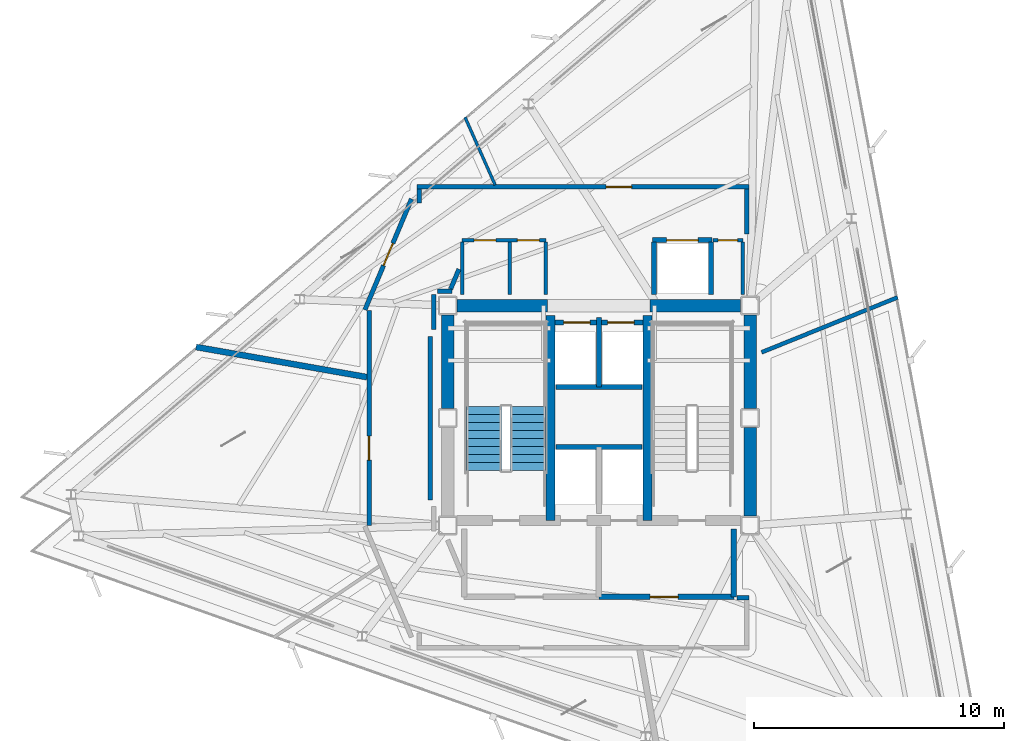
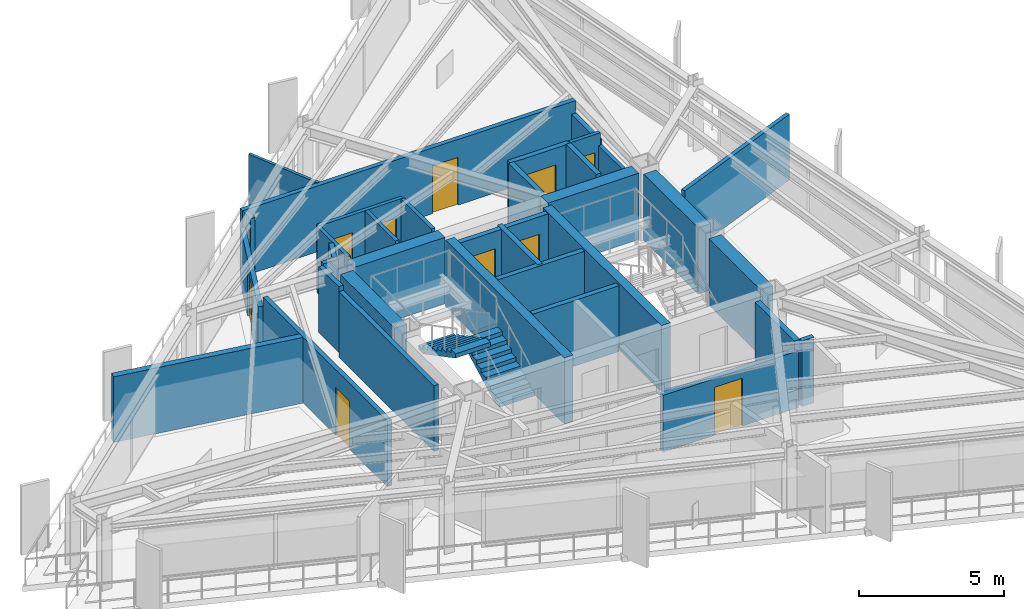
# One storey, part 9 of 14: 35 walls, 10 doors, 2 stair flights, 10 openings, 1 element without a shape of its own.
"""IFC4 building model written with IfcOpenShell, lengths in metres."""

from ifc_helpers import new_model, si_unit, direction, frame, frame_2d, origin, place, context, subcontext, project, spatial, polyline, rectangle, outline, extrude, material, layer, layer_set, type_object, element, fill, aggregate, save


model = new_model("IFC4")

# Units and contexts
model_context = context("Model", 3, precision=1e-05, world=origin(), true_north=direction((0.0, 1.0)))
body_context = subcontext(model_context, "Body", "Model", "MODEL_VIEW")
ifc_project = project(units=[si_unit("LENGTHUNIT", "METRE"), si_unit("AREAUNIT", "SQUARE_METRE"), si_unit("VOLUMEUNIT", "CUBIC_METRE"), si_unit("PLANEANGLEUNIT", "RADIAN"), si_unit("MASSUNIT", "GRAM", prefix="KILO")], contexts=[model_context])

# Site, building, storey
site_placement = place(None, origin())
site = spatial("IfcSite", under=ifc_project, at=site_placement, CompositionType="ELEMENT")
building_placement = place(site_placement, origin())
building = spatial("IfcBuilding", under=site, at=building_placement, Name="Rocaltana Carrier Exchange", CompositionType="ELEMENT")
storey_placement = place(building_placement, frame((0.0, 0.0, 187.52001953125)))
storey = spatial("IfcBuildingStorey", under=building, at=storey_placement, Name="L59", CompositionType="ELEMENT", Elevation=187.52001953125)

# Walls
ifc_material_1 = material(Name="Double Acoustic Gypsum Partition", Category="gypsum")
ifc_layer_1 = layer(ifc_material_1, 0.159912109375)
ifc_layer_set_1 = layer_set([ifc_layer_1], Name="Double Acoustic Gypsum Partition")
wall_type_1 = type_object("IfcWallType", Name="Acoustic Studio Partition 160 EI60", PredefinedType="PARTITIONING", material=ifc_layer_set_1)
wall_1_placement = place(storey_placement, frame((6.510009765625, 2.630126953125, 0.0), z_axis=(0.0, 0.0, 1.0), x_axis=(0.927189354085, 0.374592981342, 0.0)))
element("IfcWall", 1, at=wall_1_placement, inside=storey, type_object=wall_type_1, Name="L59 Suite Divider Wall D3", PredefinedType="PARTITIONING", context=body_context, shape_type="SweptSolid", body=[
    extrude(rectangle(XDim=5.87158203125, YDim=0.159912109375, at=frame_2d((2.935791015625, 0.0))), origin(), (0.0, 0.0, 1.0), 2.77294921875),
])
ifc_material_2 = material(Name="Concrete C50/60", Category="concrete")
ifc_layer_2 = layer(ifc_material_2, 0.35009765625)
ifc_layer_set_2 = layer_set([ifc_layer_2], Name="Concrete C50/60")
wall_type_2 = type_object("IfcWallType", Name="Core Internal Shear Wall 350", PredefinedType="SHEAR", material=ifc_layer_set_2)
for number, where, z_axis, x_axis, name in (
    (2, (-1.93994140625, -4.10009765625, 0.0), (0.0, 0.0, 1.0), (0.0, 1.0, 0.0), "L59 Core Shear Wall CW-STW"),
    (3, (1.93994140625, -4.10009765625, 0.0), (0.0, 0.0, 1.0), (0.0, 1.0, 0.0), "L59 Core Shear Wall CW-STE"),
):
    element("IfcWall", number, at=place(storey_placement, frame(where, z_axis=z_axis, x_axis=x_axis)), inside=storey, type_object=wall_type_2, Name=name, PredefinedType="SHEAR", context=body_context, shape_type="SweptSolid", body=[
        extrude(rectangle(XDim=8.2001953125, YDim=0.35009765625, at=frame_2d((4.10009765625, 0.0))), origin(), (0.0, 0.0, 1.0), 2.798095703125),
    ])
ifc_material_3 = material(Name="Concrete C50/60", Category="concrete")
ifc_layer_3 = layer(ifc_material_3, 0.5)
ifc_layer_set_3 = layer_set([ifc_layer_3], Name="Concrete C50/60")
wall_type_3 = type_object("IfcWallType", Name="Core Shear Wall 500", PredefinedType="SHEAR", material=ifc_layer_set_3)
for number, where, z_axis, x_axis, name in (
    (4, (-6.050048828125, 0.375, 0.0), (0.0, 0.0, 1.0), (0.0, 1.0, 0.0), "L59 Core Shear Wall CW-WN"),
    (5, (6.050048828125, 0.375, 0.0), (0.0, 0.0, 1.0), (0.0, 1.0, 0.0), "L59 Core Shear Wall CW-EN"),
):
    element("IfcWall", number, at=place(storey_placement, frame(where, z_axis=z_axis, x_axis=x_axis)), inside=storey, type_object=wall_type_3, Name=name, PredefinedType="SHEAR", context=body_context, shape_type="SweptSolid", body=[
        extrude(rectangle(XDim=3.75, YDim=0.5, at=frame_2d((1.875, 0.0))), origin(), (0.0, 0.0, 1.0), 2.798095703125),
    ])
wall_2_placement = place(storey_placement, frame((6.050048828125, -3.925048828125, 0.0), z_axis=(0.0, 0.0, 1.0), x_axis=(0.0, 1.0, 0.0)))
element("IfcWall", 6, at=wall_2_placement, inside=storey, type_object=wall_type_3, Name="L59 Core Shear Wall CW-ES", PredefinedType="SHEAR", context=body_context, shape_type="SweptSolid", body=[
    extrude(rectangle(XDim=3.550048828125, YDim=0.5, at=frame_2d((1.77490234375, 0.0))), origin(), (0.0, 0.0, 1.0), 2.798095703125),
])
for number, where, z_axis, x_axis, name in (
    (7, (-5.675048828125, 4.5, 0.0), (0.0, 0.0, 1.0), (1.0, 0.0, 0.0), "L59 Core Shear Wall CW-N1"),
    (8, (2.050048828125, 4.5, 0.0), (0.0, 0.0, 1.0), (1.0, 0.0, 0.0), "L59 Core Shear Wall CW-N2"),
):
    element("IfcWall", number, at=place(storey_placement, frame(where, z_axis=z_axis, x_axis=x_axis)), inside=storey, type_object=wall_type_3, Name=name, PredefinedType="SHEAR", context=body_context, shape_type="SweptSolid", body=[
        extrude(rectangle(XDim=3.625, YDim=0.5, at=frame_2d((1.8125, 0.0))), origin(), (0.0, 0.0, 1.0), 2.798095703125),
    ])

# Wall, opening, door
ifc_material_4 = material(Name="Gypsum & Steel Stud Partition", Category="steel")
ifc_layer_4 = layer(ifc_material_4, 0.179931640625)
ifc_layer_set_4 = layer_set([ifc_layer_4], Name="Gypsum & Steel Stud Partition")
wall_type_4 = type_object("IfcWallType", Name="Corridor Fire Partition 180 EI60", PredefinedType="PARTITIONING", material=ifc_layer_set_4)
wall_3_placement = place(storey_placement, frame((-9.199951171875, -4.303466796875, 0.0), z_axis=(0.0, 0.0, 1.0), x_axis=(0.0, 1.0, 0.0)))
wall_3 = element("IfcWall", 9, at=wall_3_placement, inside=storey, type_object=wall_type_4, Name="L59 Corridor Partition 2", PredefinedType="PARTITIONING", context=body_context, shape_type="SweptSolid", body=[
    extrude(rectangle(XDim=8.60693359375, YDim=0.179931640625, at=frame_2d((4.303466796875, 0.0))), origin(), (0.0, 0.0, 1.0), 2.77294921875),
])
opening_1_placement = place(wall_3_placement, frame((2.619384765625, 0.0, 0.0)))
opening_1 = element("IfcOpeningElement", 10, at=opening_1_placement, cuts=wall_3, Name="Opening D-RM098", PredefinedType="OPENING", context=body_context, shape_type="SweptSolid", body=[
    extrude(rectangle(XDim=0.9599609375, YDim=2.02001953125, at=frame_2d((0.47998046875, 1.010009765625))), frame((0.0, 0.099853515625, 0.0), z_axis=(0.0, -1.0, 0.0), x_axis=(1.0, 0.0, 0.0)), (0.0, 0.0, 1.0), 0.199951171875),
])
ifc_material_5 = material(Name="Engineered Hardwood Timber", Category="wood")
door_type_1 = type_object("IfcDoorType", Name="Workspace Single Door 960x2020", OperationType="NOTDEFINED", PredefinedType="DOOR", material=ifc_material_5)
door_1_placement = place(opening_1_placement, origin())
door_1 = element("IfcDoor", 11, at=door_1_placement, inside=storey, type_object=door_type_1, Name="L59 Cloud Architecture Office Entrance Door", OperationType="SINGLE_SWING_LEFT", OverallHeight=2.02001953125, OverallWidth=0.9599609375, PredefinedType="DOOR", context=body_context, shape_type="SweptSolid", body=[
    extrude(rectangle(XDim=0.9599609375, YDim=2.02001953125, at=frame_2d((0.47998046875, 1.010009765625))), frame((0.0, 0.02490234375, 0.0), z_axis=(0.0, -1.0, 0.0), x_axis=(1.0, 0.0, 0.0)), (0.0, 0.0, 1.0), 0.050048828125),
])
fill(opening_1, door_1)

wall_4_placement = place(storey_placement, frame((-9.36669921875, 4.331787109375, 0.0), z_axis=(0.0, 0.0, 1.0), x_axis=(0.387573945081, 0.921838617706, 0.0)))
wall_4 = element("IfcWall", 12, at=wall_4_placement, inside=storey, type_object=wall_type_4, Name="L59 Corridor Partition 3", PredefinedType="PARTITIONING", context=body_context, shape_type="SweptSolid", body=[
    extrude(rectangle(XDim=4.813232421875, YDim=0.179931640625, at=frame_2d((2.40673828125, 0.0))), origin(), (0.0, 0.0, 1.0), 2.39501953125),
])
opening_2_placement = place(wall_4_placement, frame((1.926513671875, 0.0, 0.0)))
opening_2 = element("IfcOpeningElement", 13, at=opening_2_placement, cuts=wall_4, Name="Opening D-RM098", PredefinedType="OPENING", context=body_context, shape_type="SweptSolid", body=[
    extrude(rectangle(XDim=0.9599609375, YDim=2.02001953125, at=frame_2d((0.47998046875, 1.010009765625))), frame((0.0, 0.099853515625, 0.0), z_axis=(0.0, -1.0, 0.0), x_axis=(1.0, 0.0, 0.0)), (0.0, 0.0, 1.0), 0.199951171875),
])
door_2_placement = place(opening_2_placement, origin())
door_2 = element("IfcDoor", 14, at=door_2_placement, inside=storey, type_object=door_type_1, Name="L59 Peering Conference Room Entrance Door", OperationType="SINGLE_SWING_LEFT", OverallHeight=2.02001953125, OverallWidth=0.9599609375, PredefinedType="DOOR", context=body_context, shape_type="SweptSolid", body=[
    extrude(rectangle(XDim=0.9599609375, YDim=2.02001953125, at=frame_2d((0.47998046875, 1.010009765625))), frame((0.0, 0.02490234375, 0.0), z_axis=(0.0, -1.0, 0.0), x_axis=(1.0, 0.0, 0.0)), (0.0, 0.0, 1.0), 0.050048828125),
])
fill(opening_2, door_2)

# Wall
wall_5_placement = place(storey_placement, frame((-7.199951171875, 8.6005859375, 0.0), z_axis=(0.0, 0.0, 1.0), x_axis=(0.0, 1.0, 0.0)))
element("IfcWall", 15, at=wall_5_placement, inside=storey, type_object=wall_type_4, Name="L59 Corridor Partition 4", PredefinedType="PARTITIONING", context=body_context, shape_type="SweptSolid", body=[
    extrude(rectangle(XDim=0.559326171875, YDim=0.179931640625, at=frame_2d((0.27978515625, 0.0))), origin(), (0.0, 0.0, 1.0), 2.77294921875),
])

# Wall, opening, door
wall_6_placement = place(storey_placement, frame((-7.2900390625, 9.25, 0.0), z_axis=(0.0, 0.0, 1.0), x_axis=(1.0, 0.0, 0.0)))
wall_6 = element("IfcWall", 16, at=wall_6_placement, inside=storey, type_object=wall_type_4, Name="L59 Corridor Partition 5", PredefinedType="PARTITIONING", context=body_context, shape_type="SweptSolid", body=[
    extrude(rectangle(XDim=13.300048828125, YDim=0.179931640625, at=frame_2d((6.64990234375, 0.0))), origin(), (0.0, 0.0, 1.0), 2.77294921875),
])
opening_3_placement = place(wall_6_placement, frame((7.577880859375, 0.0, 0.0)))
opening_3 = element("IfcOpeningElement", 17, at=opening_3_placement, cuts=wall_6, Name="Opening D-LB104", PredefinedType="OPENING", context=body_context, shape_type="SweptSolid", body=[
    extrude(rectangle(XDim=1.02001953125, YDim=2.02001953125, at=frame_2d((0.510009765625, 1.010009765625))), frame((0.0, 0.099853515625, 0.0), z_axis=(0.0, -1.0, 0.0), x_axis=(1.0, 0.0, 0.0)), (0.0, 0.0, 1.0), 0.199951171875),
])
ifc_material_6 = material(Name="Powder-Coated Aluminium 6063-T6", Category="aluminium")
door_type_2 = type_object("IfcDoorType", Name="Laboratory Acoustic Door 1020x2020", OperationType="NOTDEFINED", PredefinedType="DOOR", material=ifc_material_6)
door_3_placement = place(opening_3_placement, origin())
door_3 = element("IfcDoor", 18, at=door_3_placement, inside=storey, type_object=door_type_2, Name="L59 Optical Switching Laboratory Entrance Door", OperationType="SINGLE_SWING_RIGHT", OverallHeight=2.02001953125, OverallWidth=1.02001953125, PredefinedType="DOOR", context=body_context, shape_type="SweptSolid", body=[
    extrude(rectangle(XDim=1.02001953125, YDim=2.02001953125, at=frame_2d((0.510009765625, 1.010009765625))), frame((0.0, 0.02490234375, 0.0), z_axis=(0.0, -1.0, 0.0), x_axis=(1.0, 0.0, 0.0)), (0.0, 0.0, 1.0), 0.050048828125),
])
fill(opening_3, door_3)

# Walls
wall_7_placement = place(storey_placement, frame((5.919921875, 9.159912109375, 0.0), z_axis=(0.0, 0.0, 1.0), x_axis=(0.0, -1.0, 0.0)))
element("IfcWall", 19, at=wall_7_placement, inside=storey, type_object=wall_type_4, Name="L59 Corridor Partition 6", PredefinedType="PARTITIONING", context=body_context, shape_type="SweptSolid", body=[
    extrude(rectangle(XDim=1.7998046875, YDim=0.179931640625, at=frame_2d((0.89990234375, 0.0))), origin(), (0.0, 0.0, 1.0), 2.2529296875),
])
wall_8_placement = place(storey_placement, frame((-5.602294921875, 5.9580078125, 0.0), z_axis=(0.0, 0.0, 1.0), x_axis=(-0.387588639363, -0.921832439566, 0.0)))
element("IfcWall", 20, at=wall_8_placement, inside=storey, type_object=wall_type_4, Name="L59 Corridor Partition 8", PredefinedType="PARTITIONING", context=body_context, shape_type="SweptSolid", body=[
    extrude(rectangle(XDim=0.8623046875, YDim=0.179931640625, at=frame_2d((0.43115234375, 0.0))), origin(), (0.0, 0.0, 1.0), 2.77294921875),
])
wall_9_placement = place(storey_placement, frame((-5.88134765625, 5.080078125, 0.0), z_axis=(0.0, 0.0, 1.0), x_axis=(-1.0, 0.0, 0.0)))
element("IfcWall", 21, at=wall_9_placement, inside=storey, type_object=wall_type_4, Name="L59 Corridor Partition 9", PredefinedType="PARTITIONING", context=body_context, shape_type="SweptSolid", body=[
    extrude(rectangle(XDim=0.588623046875, YDim=0.179931640625, at=frame_2d((0.29443359375, 0.0))), origin(), (0.0, 0.0, 1.0), 2.77294921875),
])
wall_10_placement = place(storey_placement, frame((-6.610107421875, 4.93994140625, 0.0), z_axis=(0.0, 0.0, 1.0), x_axis=(0.0, -1.0, 0.0)))
element("IfcWall", 22, at=wall_10_placement, inside=storey, type_object=wall_type_4, Name="L59 Corridor Partition 10", PredefinedType="PARTITIONING", context=body_context, shape_type="SweptSolid", body=[
    extrude(rectangle(XDim=1.398681640625, YDim=0.179931640625, at=frame_2d((0.69921875, 0.0))), origin(), (0.0, 0.0, 1.0), 2.77294921875),
])
wall_11_placement = place(storey_placement, frame((-6.75, 3.2734375, 0.0), z_axis=(0.0, 0.0, 1.0), x_axis=(0.0, -1.0, 0.0)))
element("IfcWall", 23, at=wall_11_placement, inside=storey, type_object=wall_type_4, Name="L59 Corridor Partition 11", PredefinedType="PARTITIONING", context=body_context, shape_type="SweptSolid", body=[
    extrude(rectangle(XDim=6.546875, YDim=0.179931640625, at=frame_2d((3.2734375, 0.0))), origin(), (0.0, 0.0, 1.0), 2.77294921875),
])
wall_12_placement = place(storey_placement, frame((5.530029296875, -7.199951171875, 0.0), z_axis=(0.0, 0.0, 1.0), x_axis=(1.0, 0.0, 0.0)))
element("IfcWall", 24, at=wall_12_placement, inside=storey, type_object=wall_type_4, Name="L59 Corridor Partition 14", PredefinedType="PARTITIONING", context=body_context, shape_type="SweptSolid", body=[
    extrude(rectangle(XDim=0.47998046875, YDim=0.179931640625, at=frame_2d((0.239990234375, 0.0))), origin(), (0.0, 0.0, 1.0), 2.77294921875),
])
ifc_material_7 = material(Name="Aluminium 6063-T6 & Acoustic Glass", Category="aluminium")
ifc_layer_5 = layer(ifc_material_7, 0.114990234375)
ifc_layer_set_5 = layer_set([ifc_layer_5], Name="Aluminium 6063-T6 & Acoustic Glass")
wall_type_5 = type_object("IfcWallType", Name="Demountable Glazed Lab Partition 115", PredefinedType="MOVABLE", material=ifc_layer_set_5)
wall_13_placement = place(storey_placement, frame((-4.154052734375, 9.330078125, 0.0), z_axis=(0.0, 0.0, 1.0), x_axis=(-0.406726956158, 0.913549770475, 0.0)))
element("IfcWall", 25, at=wall_13_placement, inside=storey, type_object=wall_type_5, Name="L59 Suite Divider Wall D4", PredefinedType="MOVABLE", context=body_context, shape_type="SweptSolid", body=[
    extrude(rectangle(XDim=2.96337890625, YDim=0.114990234375, at=frame_2d((1.481689453125, 0.0))), origin(), (0.0, 0.0, 1.0), 2.77294921875),
])
ifc_material_8 = material(Name="Autoclaved Aerated Concrete C30/37", Category="concrete")
ifc_layer_6 = layer(ifc_material_8, 0.219970703125)
ifc_layer_set_6 = layer_set([ifc_layer_6], Name="Autoclaved Aerated Concrete C30/37")
wall_type_6 = type_object("IfcWallType", Name="Firefighting Lobby Wall 220 EI120", PredefinedType="PARTITIONING", material=ifc_layer_set_6)
wall_14_placement = place(storey_placement, frame((5.39990234375, -7.159912109375, 0.0), z_axis=(0.0, 0.0, 1.0), x_axis=(0.0, 1.0, 0.0)))
element("IfcWall", 26, at=wall_14_placement, inside=storey, type_object=wall_type_6, Name="L59 FFL Lobby 2 East Wall", PredefinedType="PARTITIONING", context=body_context, shape_type="SweptSolid", body=[
    extrude(rectangle(XDim=2.7099609375, YDim=0.219970703125, at=frame_2d((1.35498046875, 0.0))), origin(), (0.0, 0.0, 1.0), 2.77294921875),
])

# Wall, opening, door
wall_15_placement = place(storey_placement, frame((0.0, -7.159912109375, 0.0), z_axis=(0.0, 0.0, 1.0), x_axis=(1.0, 0.0, 0.0)))
wall_15 = element("IfcWall", 27, at=wall_15_placement, inside=storey, type_object=wall_type_6, Name="L59 FFL Lobby 2 South Wall", PredefinedType="PARTITIONING", context=body_context, shape_type="SweptSolid", body=[
    extrude(rectangle(XDim=5.39990234375, YDim=0.219970703125, at=frame_2d((2.699951171875, 0.0))), origin(), (0.0, 0.0, 1.0), 2.39501953125),
])
opening_4_placement = place(wall_15_placement, frame((2.050048828125, 0.0, 0.0)))
opening_4 = element("IfcOpeningElement", 28, at=opening_4_placement, cuts=wall_15, Name="Opening D-FF115", PredefinedType="OPENING", context=body_context, shape_type="SweptSolid", body=[
    extrude(rectangle(XDim=1.1201171875, YDim=2.02001953125, at=frame_2d((0.56005859375, 1.010009765625))), frame((0.0, 0.119873046875, 0.0), z_axis=(0.0, -1.0, 0.0), x_axis=(1.0, 0.0, 0.0)), (0.0, 0.0, 1.0), 0.239990234375),
])
ifc_material_9 = material(Name="Hollow Metal Fire Door Assembly", Category="steel")
door_type_3 = type_object("IfcDoorType", Name="Firefighting Lobby Door 1120x2020 FD60S", OperationType="NOTDEFINED", PredefinedType="DOOR", material=ifc_material_9)
door_4_placement = place(opening_4_placement, origin())
door_4 = element("IfcDoor", 29, at=door_4_placement, inside=storey, type_object=door_type_3, Name="L59 Firefighting Lift Lobby 2 Door", OperationType="SINGLE_SWING_LEFT", OverallHeight=2.02001953125, OverallWidth=1.1201171875, PredefinedType="DOOR", context=body_context, shape_type="SweptSolid", body=[
    extrude(rectangle(XDim=1.1201171875, YDim=2.02001953125, at=frame_2d((0.56005859375, 1.010009765625))), frame((0.0, 0.02490234375, 0.0), z_axis=(0.0, -1.0, 0.0), x_axis=(1.0, 0.0, 0.0)), (0.0, 0.0, 1.0), 0.050048828125),
])
fill(opening_4, door_4)

# Walls
ifc_material_10 = material(Name="Acoustic Calcium Silicate Partition", Category="gypsum")
ifc_layer_7 = layer(ifc_material_10, 0.239990234375)
ifc_layer_set_7 = layer_set([ifc_layer_7], Name="Acoustic Calcium Silicate Partition")
wall_type_7 = type_object("IfcWallType", Name="Heavy Lab Partition 240 EI90", PredefinedType="PARTITIONING", material=ifc_layer_set_7)
wall_16_placement = place(storey_placement, frame((-9.280029296875, 1.63623046875, 0.0), z_axis=(0.0, 0.0, 1.0), x_axis=(-0.984803709336, 0.173671108934, 0.0)))
element("IfcWall", 30, at=wall_16_placement, inside=storey, type_object=wall_type_7, Name="L59 Suite Divider Wall D5", PredefinedType="PARTITIONING", context=body_context, shape_type="SweptSolid", body=[
    extrude(rectangle(XDim=6.9501953125, YDim=0.239990234375, at=frame_2d((3.47509765625, 0.0))), origin(), (0.0, 0.0, 1.0), 2.77294921875),
])
ifc_material_11 = material(Name="Reinforced Concrete Block C35/45", Category="concrete")
ifc_layer_8 = layer(ifc_material_11, 0.199951171875)
ifc_layer_set_8 = layer_set([ifc_layer_8], Name="Reinforced Concrete Block C35/45")
wall_type_8 = type_object("IfcWallType", Name="Lift Hoistway Enclosure Wall 200 EI120", PredefinedType="PARTITIONING", material=ifc_layer_set_8)
wall_17_placement = place(storey_placement, frame((-1.719970703125, -1.14990234375, 0.0), z_axis=(0.0, 0.0, 1.0), x_axis=(1.0, 0.0, 0.0)))
element("IfcWall", 31, at=wall_17_placement, inside=storey, type_object=wall_type_8, Name="L59 FFL Shaft Back Wall", PredefinedType="PARTITIONING", context=body_context, shape_type="SweptSolid", body=[
    extrude(rectangle(XDim=3.43994140625, YDim=0.199951171875, at=frame_2d((1.719970703125, 0.0))), origin(), (0.0, 0.0, 1.0), 2.77294921875),
])
wall_18_placement = place(storey_placement, frame((0.0, 1.25, 0.0), z_axis=(0.0, 0.0, 1.0), x_axis=(0.0, 1.0, 0.0)))
element("IfcWall", 32, at=wall_18_placement, inside=storey, type_object=wall_type_8, Name="L59 High-Rise Shaft Divider", PredefinedType="PARTITIONING", context=body_context, shape_type="SweptSolid", body=[
    extrude(rectangle(XDim=2.77001953125, YDim=0.199951171875, at=frame_2d((1.385009765625, 0.0))), origin(), (0.0, 0.0, 1.0), 2.77294921875),
])
wall_19_placement = place(storey_placement, frame((-1.719970703125, 1.25, 0.0), z_axis=(0.0, 0.0, 1.0), x_axis=(1.0, 0.0, 0.0)))
element("IfcWall", 33, at=wall_19_placement, inside=storey, type_object=wall_type_8, Name="L59 High-Rise Shaft Back Wall", PredefinedType="PARTITIONING", context=body_context, shape_type="SweptSolid", body=[
    extrude(rectangle(XDim=3.43994140625, YDim=0.199951171875, at=frame_2d((1.719970703125, 0.0))), origin(), (0.0, 0.0, 1.0), 2.77294921875),
])

# Wall, openings, doors
wall_20_placement = place(storey_placement, frame((-1.760009765625, 3.820068359375, 0.0), z_axis=(0.0, 0.0, 1.0), x_axis=(1.0, 0.0, 0.0)))
wall_20 = element("IfcWall", 34, at=wall_20_placement, inside=storey, type_object=wall_type_8, Name="L59 High-Rise Lift Front Wall", PredefinedType="PARTITIONING", context=body_context, shape_type="SweptSolid", body=[
    extrude(rectangle(XDim=3.52001953125, YDim=0.199951171875, at=frame_2d((1.760009765625, 0.0))), origin(), (0.0, 0.0, 1.0), 2.77294921875),
])
opening_5_placement = place(wall_20_placement, frame((0.35009765625, 0.0, 0.0)))
opening_5 = element("IfcOpeningElement", 35, at=opening_5_placement, cuts=wall_20, Name="Opening LD-110", PredefinedType="OPENING", context=body_context, shape_type="SweptSolid", body=[
    extrude(rectangle(XDim=1.06005859375, YDim=2.0400390625, at=frame_2d((0.530029296875, 1.02001953125))), frame((0.0, 0.10986328125, 0.0), z_axis=(0.0, -1.0, 0.0), x_axis=(1.0, 0.0, 0.0)), (0.0, 0.0, 1.0), 0.219970703125),
])
opening_6_placement = place(wall_20_placement, frame((2.110107421875, 0.0, 0.0)))
opening_6 = element("IfcOpeningElement", 36, at=opening_6_placement, cuts=wall_20, Name="Opening LD-110", PredefinedType="OPENING", context=body_context, shape_type="SweptSolid", body=[
    extrude(rectangle(XDim=1.06005859375, YDim=2.0400390625, at=frame_2d((0.530029296875, 1.02001953125))), frame((0.0, 0.10986328125, 0.0), z_axis=(0.0, -1.0, 0.0), x_axis=(1.0, 0.0, 0.0)), (0.0, 0.0, 1.0), 0.219970703125),
])
ifc_material_12 = material(Name="Brushed Stainless Sliding Door Leaf", Category="steel")
door_type_4 = type_object("IfcDoorType", Name="Lift Landing Sliding Door 1060x2040", OperationType="NOTDEFINED", PredefinedType="DOOR", material=ifc_material_12)
door_5_placement = place(opening_5_placement, origin())
door_5 = element("IfcDoor", 37, at=door_5_placement, inside=storey, type_object=door_type_4, Name="L59 High-Rise Lift PLH1 Landing Door", OperationType="SLIDING_TO_LEFT", OverallHeight=2.0400390625, OverallWidth=1.06005859375, PredefinedType="DOOR", context=body_context, shape_type="SweptSolid", body=[
    extrude(rectangle(XDim=1.06005859375, YDim=2.0400390625, at=frame_2d((0.530029296875, 1.02001953125))), frame((0.0, 0.02490234375, 0.0), z_axis=(0.0, -1.0, 0.0), x_axis=(1.0, 0.0, 0.0)), (0.0, 0.0, 1.0), 0.050048828125),
])
fill(opening_5, door_5)
door_6_placement = place(opening_6_placement, origin())
door_6 = element("IfcDoor", 38, at=door_6_placement, inside=storey, type_object=door_type_4, Name="L59 High-Rise Lift PLH2 Landing Door", OperationType="SLIDING_TO_RIGHT", OverallHeight=2.0400390625, OverallWidth=1.06005859375, PredefinedType="DOOR", context=body_context, shape_type="SweptSolid", body=[
    extrude(rectangle(XDim=1.06005859375, YDim=2.0400390625, at=frame_2d((0.530029296875, 1.02001953125))), frame((0.0, 0.02490234375, 0.0), z_axis=(0.0, -1.0, 0.0), x_axis=(1.0, 0.0, 0.0)), (0.0, 0.0, 1.0), 0.050048828125),
])
fill(opening_6, door_6)

# Walls
for number, where, z_axis, x_axis, name in (
    (39, (2.199951171875, 4.949951171875, 0.0), (0.0, 0.0, 1.0), (0.0, 1.0, 0.0), "L59 Goods Lift West Wall"),
    (40, (4.47998046875, 4.949951171875, 0.0), (0.0, 0.0, 1.0), (0.0, 1.0, 0.0), "L59 Goods Lift East Wall"),
):
    element("IfcWall", number, at=place(storey_placement, frame(where, z_axis=z_axis, x_axis=x_axis)), inside=storey, type_object=wall_type_8, Name=name, PredefinedType="PARTITIONING", context=body_context, shape_type="SweptSolid", body=[
        extrude(rectangle(XDim=2.10009765625, YDim=0.199951171875, at=frame_2d((1.050048828125, 0.0))), origin(), (0.0, 0.0, 1.0), 2.77294921875),
    ])

# Wall, opening, door
wall_21_placement = place(storey_placement, frame((2.14990234375, 7.1201171875, 0.0), z_axis=(0.0, 0.0, 1.0), x_axis=(1.0, 0.0, 0.0)))
wall_21 = element("IfcWall", 41, at=wall_21_placement, inside=storey, type_object=wall_type_8, Name="L59 Goods Lift Front Wall", PredefinedType="PARTITIONING", context=body_context, shape_type="SweptSolid", body=[
    extrude(rectangle(XDim=2.380126953125, YDim=0.199951171875, at=frame_2d((1.18994140625, 0.0))), origin(), (0.0, 0.0, 1.0), 2.77294921875),
])
opening_7_placement = place(wall_21_placement, frame((0.56005859375, 0.0, 0.0)))
opening_7 = element("IfcOpeningElement", 42, at=opening_7_placement, cuts=wall_21, Name="Opening LD-130", PredefinedType="OPENING", context=body_context, shape_type="SweptSolid", body=[
    extrude(rectangle(XDim=1.260009765625, YDim=2.06005859375, at=frame_2d((0.6298828125, 1.030029296875))), frame((0.0, 0.10986328125, 0.0), z_axis=(0.0, -1.0, 0.0), x_axis=(1.0, 0.0, 0.0)), (0.0, 0.0, 1.0), 0.219970703125),
])
ifc_material_13 = material(Name="Brushed Stainless Sliding Door Leaf", Category="steel")
door_type_5 = type_object("IfcDoorType", Name="Goods Lift Landing Sliding Door 1260x2060", OperationType="NOTDEFINED", PredefinedType="DOOR", material=ifc_material_13)
door_7_placement = place(opening_7_placement, origin())
door_7 = element("IfcDoor", 43, at=door_7_placement, inside=storey, type_object=door_type_5, Name="L59 Goods Lift GL-1 Landing Door", OperationType="SLIDING_TO_LEFT", OverallHeight=2.06005859375, OverallWidth=1.260009765625, PredefinedType="DOOR", context=body_context, shape_type="SweptSolid", body=[
    extrude(rectangle(XDim=1.260009765625, YDim=2.06005859375, at=frame_2d((0.6298828125, 1.030029296875))), frame((0.0, 0.02490234375, 0.0), z_axis=(0.0, -1.0, 0.0), x_axis=(1.0, 0.0, 0.0)), (0.0, 0.0, 1.0), 0.050048828125),
])
fill(opening_7, door_7)

# Walls
ifc_material_14 = material(Name="Moisture-Resistant Masonry C30/37", Category="masonry")
ifc_layer_9 = layer(ifc_material_14, 0.139892578125)
ifc_layer_set_9 = layer_set([ifc_layer_9], Name="Moisture-Resistant Masonry C30/37")
wall_type_9 = type_object("IfcWallType", Name="Wet-Area Sanitary Partition 140", PredefinedType="PARTITIONING", material=ifc_layer_set_9)
for number, where, z_axis, x_axis, name in (
    (44, (-5.47998046875, 4.949951171875, 0.0), (0.0, 0.0, 1.0), (0.0, 1.0, 0.0), "L59 Sanitary West Wall"),
    (45, (-3.56005859375, 4.949951171875, 0.0), (0.0, 0.0, 1.0), (0.0, 1.0, 0.0), "L59 Sanitary Divider"),
    (46, (-2.1201171875, 4.949951171875, 0.0), (0.0, 0.0, 1.0), (0.0, 1.0, 0.0), "L59 Sanitary East Wall"),
):
    element("IfcWall", number, at=place(storey_placement, frame(where, z_axis=z_axis, x_axis=x_axis)), inside=storey, type_object=wall_type_9, Name=name, PredefinedType="PARTITIONING", context=body_context, shape_type="SweptSolid", body=[
        extrude(rectangle(XDim=2.10009765625, YDim=0.139892578125, at=frame_2d((1.050048828125, 0.0))), origin(), (0.0, 0.0, 1.0), 2.77294921875),
    ])

# Wall, openings, doors
wall_22_placement = place(storey_placement, frame((-5.47998046875, 7.1201171875, 0.0), z_axis=(0.0, 0.0, 1.0), x_axis=(1.0, 0.0, 0.0)))
wall_22 = element("IfcWall", 47, at=wall_22_placement, inside=storey, type_object=wall_type_9, Name="L59 Sanitary North Wall", PredefinedType="PARTITIONING", context=body_context, shape_type="SweptSolid", body=[
    extrude(rectangle(XDim=3.35986328125, YDim=0.139892578125, at=frame_2d((1.679931640625, 0.0))), origin(), (0.0, 0.0, 1.0), 2.77294921875),
])
opening_8_placement = place(wall_22_placement, frame((0.47998046875, 0.0, 0.0)))
opening_8 = element("IfcOpeningElement", 48, at=opening_8_placement, cuts=wall_22, Name="Opening D-WC090", PredefinedType="OPENING", context=body_context, shape_type="SweptSolid", body=[
    extrude(rectangle(XDim=0.8798828125, YDim=2.02001953125, at=frame_2d((0.43994140625, 1.010009765625))), frame((0.0, 0.079833984375, 0.0), z_axis=(0.0, -1.0, 0.0), x_axis=(1.0, 0.0, 0.0)), (0.0, 0.0, 1.0), 0.159912109375),
])
opening_9_placement = place(wall_22_placement, frame((2.219970703125, 0.0, 0.0)))
opening_9 = element("IfcOpeningElement", 49, at=opening_9_placement, cuts=wall_22, Name="Opening D-WC090", PredefinedType="OPENING", context=body_context, shape_type="SweptSolid", body=[
    extrude(rectangle(XDim=0.8798828125, YDim=2.02001953125, at=frame_2d((0.43994140625, 1.010009765625))), frame((0.0, 0.079833984375, 0.0), z_axis=(0.0, -1.0, 0.0), x_axis=(1.0, 0.0, 0.0)), (0.0, 0.0, 1.0), 0.159912109375),
])
ifc_material_15 = material(Name="High-Pressure Laminate Timber", Category="wood")
door_type_6 = type_object("IfcDoorType", Name="Restroom & Accessible WC Door 880x2020", OperationType="NOTDEFINED", PredefinedType="DOOR", material=ifc_material_15)
door_8_placement = place(opening_8_placement, origin())
door_8 = element("IfcDoor", 50, at=door_8_placement, inside=storey, type_object=door_type_6, Name="L59 Accessible Toilet Door", OperationType="SINGLE_SWING_RIGHT", OverallHeight=2.02001953125, OverallWidth=0.8798828125, PredefinedType="DOOR", context=body_context, shape_type="SweptSolid", body=[
    extrude(rectangle(XDim=0.8798828125, YDim=2.02001953125, at=frame_2d((0.43994140625, 1.010009765625))), frame((0.0, 0.02490234375, 0.0), z_axis=(0.0, -1.0, 0.0), x_axis=(1.0, 0.0, 0.0)), (0.0, 0.0, 1.0), 0.050048828125),
])
fill(opening_8, door_8)
door_9_placement = place(opening_9_placement, origin())
door_9 = element("IfcDoor", 51, at=door_9_placement, inside=storey, type_object=door_type_6, Name="L59 Staff Restroom Door", OperationType="SINGLE_SWING_LEFT", OverallHeight=2.02001953125, OverallWidth=0.8798828125, PredefinedType="DOOR", context=body_context, shape_type="SweptSolid", body=[
    extrude(rectangle(XDim=0.8798828125, YDim=2.02001953125, at=frame_2d((0.43994140625, 1.010009765625))), frame((0.0, 0.02490234375, 0.0), z_axis=(0.0, -1.0, 0.0), x_axis=(1.0, 0.0, 0.0)), (0.0, 0.0, 1.0), 0.050048828125),
])
fill(opening_9, door_9)

# Wall
wall_23_placement = place(storey_placement, frame((5.760009765625, 4.949951171875, 0.0), z_axis=(0.0, 0.0, 1.0), x_axis=(0.0, 1.0, 0.0)))
element("IfcWall", 52, at=wall_23_placement, inside=storey, type_object=wall_type_9, Name="L59 Riser East Wall", PredefinedType="PARTITIONING", context=body_context, shape_type="SweptSolid", body=[
    extrude(rectangle(XDim=2.10009765625, YDim=0.139892578125, at=frame_2d((1.050048828125, 0.0))), origin(), (0.0, 0.0, 1.0), 2.2529296875),
])

# Wall, opening, door
wall_24_placement = place(storey_placement, frame((4.56005859375, 7.1201171875, 0.0), z_axis=(0.0, 0.0, 1.0), x_axis=(1.0, 0.0, 0.0)))
wall_24 = element("IfcWall", 53, at=wall_24_placement, inside=storey, type_object=wall_type_9, Name="L59 Riser North Wall", PredefinedType="PARTITIONING", context=body_context, shape_type="SweptSolid", body=[
    extrude(rectangle(XDim=1.199951171875, YDim=0.139892578125, at=frame_2d((0.60009765625, 0.0))), origin(), (0.0, 0.0, 1.0), 2.77294921875),
])
opening_10_placement = place(wall_24_placement, frame((0.2099609375, 0.0, 0.0)))
opening_10 = element("IfcOpeningElement", 54, at=opening_10_placement, cuts=wall_24, Name="Opening D-RS082", PredefinedType="OPENING", context=body_context, shape_type="SweptSolid", body=[
    extrude(rectangle(XDim=0.780029296875, YDim=2.010009765625, at=frame_2d((0.39013671875, 1.0048828125))), frame((0.0, 0.079833984375, 0.0), z_axis=(0.0, -1.0, 0.0), x_axis=(1.0, 0.0, 0.0)), (0.0, 0.0, 1.0), 0.159912109375),
])
ifc_material_16 = material(Name="Hollow Metal Access Door Leaf", Category="steel")
door_type_7 = type_object("IfcDoorType", Name="Riser & Service Closet Door 780x2010", OperationType="NOTDEFINED", PredefinedType="DOOR", material=ifc_material_16)
door_10_placement = place(opening_10_placement, origin())
door_10 = element("IfcDoor", 55, at=door_10_placement, inside=storey, type_object=door_type_7, Name="L59 Fibre Riser Closet Door", OperationType="SINGLE_SWING_RIGHT", OverallHeight=2.010009765625, OverallWidth=0.780029296875, PredefinedType="DOOR", context=body_context, shape_type="SweptSolid", body=[
    extrude(rectangle(XDim=0.780029296875, YDim=2.010009765625, at=frame_2d((0.39013671875, 1.0048828125))), frame((0.0, 0.02490234375, 0.0), z_axis=(0.0, -1.0, 0.0), x_axis=(1.0, 0.0, 0.0)), (0.0, 0.0, 1.0), 0.050048828125),
])
fill(opening_10, door_10)

# Stair, stair flights
ifc_material_17 = material(Name="Precast concrete C45/55", Category="concrete")
stair_type = type_object("IfcStairType", Name="Standard Dog-Leg Stair 160", PredefinedType="HALF_TURN_STAIR", material=ifc_material_17)
stair_placement = place(storey_placement, origin())
stair = element("IfcStair", 56, at=stair_placement, inside=storey, type_object=stair_type, Name="L59 Core West Exit Stair ST-1", PredefinedType="HALF_TURN_STAIR")
ifc_material_18 = material(Name="Precast concrete C45/55", Category="concrete")
stair_flight_type = type_object("IfcStairFlightType", Name="Precast Stair Flight 160", PredefinedType="STRAIGHT", material=ifc_material_18)
stair_flight_1_placement = place(storey_placement, frame((-2.840087890625, -2.10009765625, 0.0), z_axis=(0.0, 0.0, 1.0), x_axis=(0.0, 1.0, 0.0)))
stair_flight_1 = element("IfcStairFlight", 57, at=stair_flight_1_placement, type_object=stair_flight_type, Name="ST-1 flight 1", NumberOfRisers=9, NumberOfTreads=8, PredefinedType="STRAIGHT", RiserHeight=0.168888889, TreadLength=0.32, context=body_context, shape_type="SweptSolid", body=[
    extrude(outline(polyline([(0.0, 0.0), (0.0, 0.1689453125), (0.320068359375, 0.1689453125), (0.320068359375, 0.337890625), (0.639892578125, 0.337890625), (0.639892578125, 0.506591796875), (0.9599609375, 0.506591796875), (0.9599609375, 0.675537109375), (1.280029296875, 0.675537109375), (1.280029296875, 0.844482421875), (1.60009765625, 0.844482421875), (1.60009765625, 1.013427734375), (1.919921875, 1.013427734375), (1.919921875, 1.18212890625), (2.239990234375, 1.18212890625), (2.239990234375, 1.35107421875), (2.56005859375, 1.35107421875), (2.56005859375, 1.52001953125), (2.56005859375, 1.17041015625), (0.342529296875, 0.0), (0.0, 0.0)])), frame((0.0, 0.699951171875, 0.0), z_axis=(0.0, -1.0, 0.0), x_axis=(1.0, 0.0, 0.0)), (0.0, 0.0, 1.0), 1.39990234375),
])
stair_flight_2_placement = place(storey_placement, frame((-4.60009765625, 0.4599609375, 1.52001953125), z_axis=(0.0, 0.0, 1.0), x_axis=(0.0, -1.0, 0.0)))
stair_flight_2 = element("IfcStairFlight", 58, at=stair_flight_2_placement, type_object=stair_flight_type, Name="ST-1 flight 2", NumberOfRisers=9, NumberOfTreads=8, PredefinedType="STRAIGHT", RiserHeight=0.168888889, TreadLength=0.32, context=body_context, shape_type="SweptSolid", body=[
    extrude(outline(polyline([(0.0, 0.0), (0.0, 0.1689453125), (0.320068359375, 0.1689453125), (0.320068359375, 0.337890625), (0.639892578125, 0.337890625), (0.639892578125, 0.506591796875), (0.9599609375, 0.506591796875), (0.9599609375, 0.675537109375), (1.280029296875, 0.675537109375), (1.280029296875, 0.844482421875), (1.60009765625, 0.844482421875), (1.60009765625, 1.013427734375), (1.919921875, 1.013427734375), (1.919921875, 1.18212890625), (2.239990234375, 1.18212890625), (2.239990234375, 1.35107421875), (2.56005859375, 1.35107421875), (2.56005859375, 1.52001953125), (2.56005859375, 1.17041015625), (0.342529296875, 0.0), (0.0, 0.0)])), frame((0.0, 0.699951171875, 0.0), z_axis=(0.0, -1.0, 0.0), x_axis=(1.0, 0.0, 0.0)), (0.0, 0.0, 1.0), 1.39990234375),
])
aggregate(stair, [stair_flight_1, stair_flight_2])

save(model, "model.ifc")
